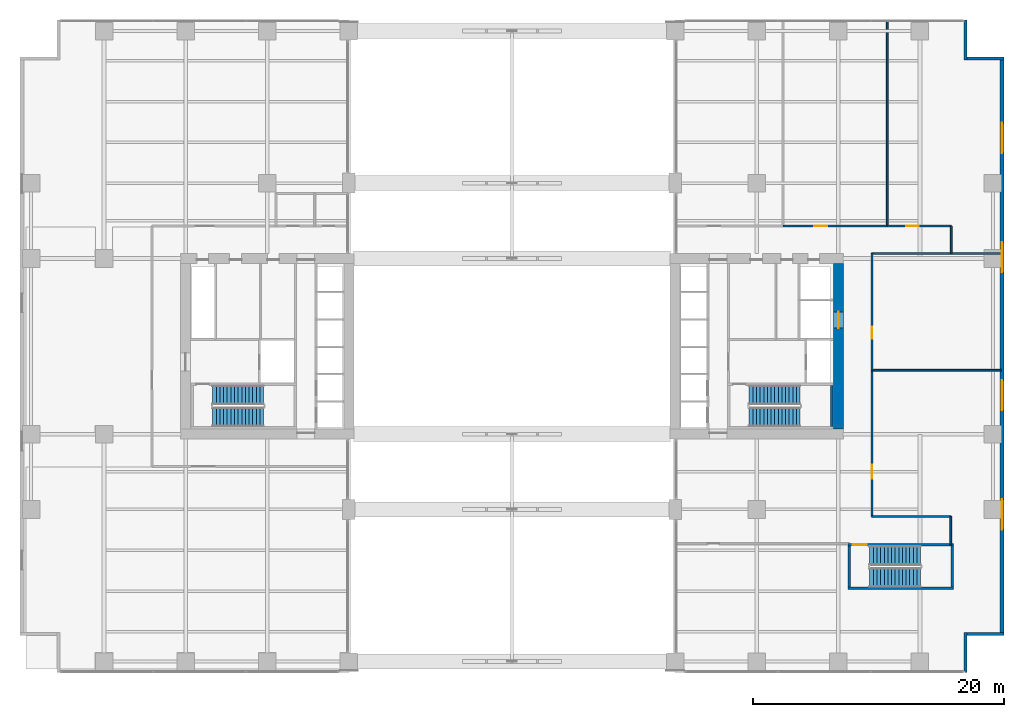
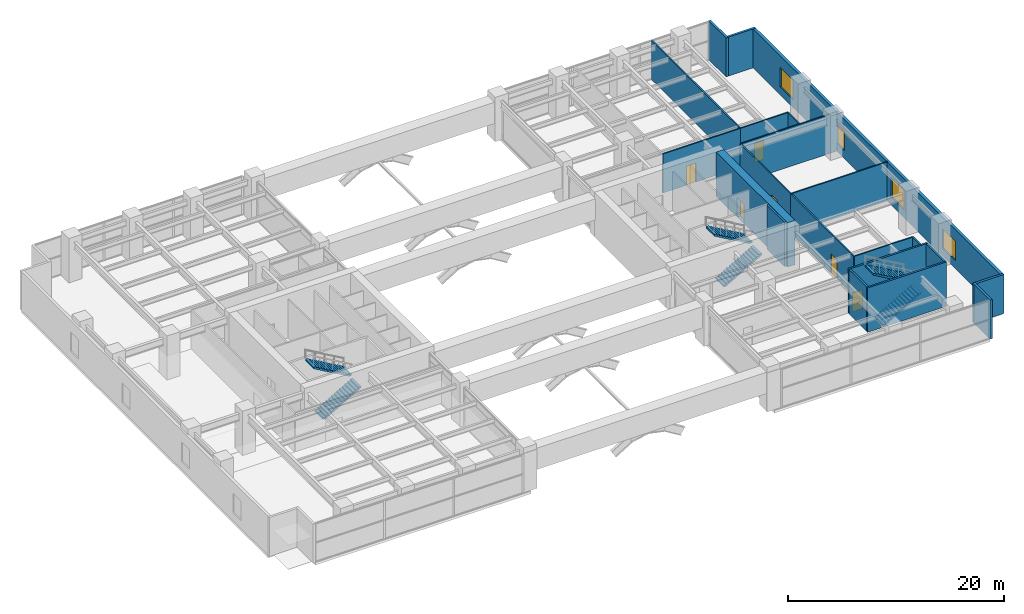
# One storey, part 18 of 23: 21 walls, 6 doors, 6 stair flights, 4 windows, 10 openings, 3 elements without a shape of their own.
"""IFC4 building model written with IfcOpenShell, lengths in metres."""

import ifcopenshell
import ifcopenshell.guid

model = None  # the IFC model being written
_history = None  # IfcOwnerHistory: only IFC2X3 demands one
_inside = {}  # id of a spatial element -> (the spatial element, [elements in it])
_under = {}  # id of a project, library or spatial element -> (it, [spatial elements below it])
_declared = {}  # id of a project -> (the project, [libraries it declares])
_typed = {}  # id of a type object -> (the type object, [elements of that type])
_made_of = {}  # id of a material, layer set ... -> (it, [elements and type objects made of it])


def new_model(schema):
    """Start an empty IFC model of exactly this schema.

    Asked for "IFC4X3", IfcOpenShell would pick the latest addendum, in which some entities
    have other attributes; the version numbers below select the first issue.
    IFC2X3 requires an IfcOwnerHistory on every rooted entity: one is made here for all.
    """
    global model, _history
    if schema == "IFC4X3":
        model = ifcopenshell.file(schema_version=(4, 3, 0, 0))
    else:
        model = ifcopenshell.file(schema=schema)
    _inside.clear()
    _under.clear()
    _declared.clear()
    _typed.clear()
    _made_of.clear()
    _history = None
    if model.schema == "IFC2X3":
        org = make("IfcOrganization", Name="unknown")
        user = make(
            "IfcPersonAndOrganization",
            ThePerson=make("IfcPerson", FamilyName="unknown"),
            TheOrganization=org,
        )
        app = make(
            "IfcApplication",
            ApplicationDeveloper=org,
            Version="unknown",
            ApplicationFullName="unknown",
            ApplicationIdentifier="unknown",
        )
        _history = make(
            "IfcOwnerHistory",
            OwningUser=user,
            OwningApplication=app,
            ChangeAction="ADDED",
            CreationDate=0,
        )
    return model


def make(cls, **values):
    """One entity of the class cls with the attributes given. An attribute that is None is left unset."""
    return model.create_entity(
        cls, **{name: value for name, value in values.items() if value is not None}
    )


def rooted(cls, **values):
    """An entity with a GlobalId (a new one), such as an element, a storey or a relation."""
    return make(cls, GlobalId=ifcopenshell.guid.new(), OwnerHistory=_history, **values)


def si_unit(unit_type, name, prefix=None):
    """IfcSIUnit, for example si_unit("LENGTHUNIT", "METRE", prefix="MILLI")."""
    return make("IfcSIUnit", UnitType=unit_type, Prefix=prefix, Name=name)


def assignment(units):
    """IfcUnitAssignment: the units of a project."""
    return None if units is None else make("IfcUnitAssignment", Units=units)


def point(xyz):
    """IfcCartesianPoint."""
    return None if xyz is None else make("IfcCartesianPoint", Coordinates=xyz)


def direction(xyz):
    """IfcDirection."""
    return None if xyz is None else make("IfcDirection", DirectionRatios=xyz)


def frame(location, z_axis=None, x_axis=None):
    """IfcAxis2Placement3D, a coordinate frame: its origin and axes. An axis left out is left unset."""
    return make(
        "IfcAxis2Placement3D",
        Location=point(location),
        Axis=direction(z_axis),
        RefDirection=direction(x_axis),
    )


def frame_2d(location, x_axis=None):
    """IfcAxis2Placement2D, a coordinate frame in the plane: its origin and x axis."""
    return make(
        "IfcAxis2Placement2D", Location=point(location), RefDirection=direction(x_axis)
    )


def origin():
    """The frame at (0, 0, 0) with its axes left unset."""
    return frame((0.0, 0.0, 0.0))


def place(relative_to, where):
    """IfcLocalPlacement: puts the frame where relative to a parent placement (None: the world)."""
    return make(
        "IfcLocalPlacement", PlacementRelTo=relative_to, RelativePlacement=where
    )


def context(
    kind, dimensions, precision=None, world=None, true_north=None, identifier=None
):
    """IfcGeometricRepresentationContext, for example the 3D "Model" context."""
    return make(
        "IfcGeometricRepresentationContext",
        ContextIdentifier=identifier,
        ContextType=kind,
        CoordinateSpaceDimension=dimensions,
        Precision=precision,
        WorldCoordinateSystem=world,
        TrueNorth=true_north,
    )


def subcontext(parent, identifier, kind, view, scale=None):
    """IfcGeometricRepresentationSubContext, for example "Body" below "Model"."""
    return make(
        "IfcGeometricRepresentationSubContext",
        ContextIdentifier=identifier,
        ContextType=kind,
        ParentContext=parent,
        TargetScale=scale,
        TargetView=view,
    )


def project(units=None, contexts=None):
    """IfcProject with its units and contexts."""
    return rooted(
        "IfcProject",
        Name="project",
        RepresentationContexts=contexts,
        UnitsInContext=assignment(units),
    )


def spatial(cls, under=None, at=None, **own):
    """A site, building, storey or space (cls), placed at a placement, below another one or the project."""
    s = rooted(cls, ObjectPlacement=at, **own)
    if under is not None:
        _under.setdefault(under.id(), (under, []))[1].append(s)
    return s


def polyline(points):
    """IfcPolyline through the points."""
    return make("IfcPolyline", Points=[point(p) for p in points])


def profile(cls, at=None, kind="AREA", **sizes):
    """A parametric profile (cls). Its sizes go by their IFC names, for example OverallWidth=200.0."""
    return make(cls, ProfileType=kind, Position=at, **sizes)


def rectangle(**sizes):
    """IfcRectangleProfileDef."""
    return profile("IfcRectangleProfileDef", **sizes)


def outline(outer, holes=None, kind="AREA"):
    """IfcArbitraryClosedProfileDef: a profile drawn as a closed curve; with holes, ...WithVoids."""
    if holes is None:
        return make("IfcArbitraryClosedProfileDef", ProfileType=kind, OuterCurve=outer)
    return make(
        "IfcArbitraryProfileDefWithVoids",
        ProfileType=kind,
        OuterCurve=outer,
        InnerCurves=holes,
    )


def extrude(swept, where, along, depth):
    """IfcExtrudedAreaSolid: the profile swept, set in the frame where, extruded along a direction by depth."""
    return make(
        "IfcExtrudedAreaSolid",
        SweptArea=swept,
        Position=where,
        ExtrudedDirection=direction(along),
        Depth=depth,
    )


def shape(context_of_items, identifier, shape_type, items):
    """IfcShapeRepresentation: the items that make up one representation, for example the "Body"."""
    return make(
        "IfcShapeRepresentation",
        ContextOfItems=context_of_items,
        RepresentationIdentifier=identifier,
        RepresentationType=shape_type,
        Items=items,
    )


def material(Name=None, Category=None):
    """IfcMaterial."""
    return make("IfcMaterial", Name=Name, Category=Category)


def layer(
    of_material, thickness, ventilated=None, Name=None, Category=None, Priority=None
):
    """IfcMaterialLayer: one layer of a wall or slab, of a material (None: an air gap)."""
    return make(
        "IfcMaterialLayer",
        Material=of_material,
        LayerThickness=thickness,
        IsVentilated=ventilated,
        Name=Name,
        Category=Category,
        Priority=Priority,
    )


def layer_set(layers, Name=None):
    """IfcMaterialLayerSet."""
    return make("IfcMaterialLayerSet", MaterialLayers=layers, LayerSetName=Name)


def made_of(thing, what):
    """Note that an element or type object is made of a material, layer set ...; save() writes the relation."""
    if what is not None:
        _made_of.setdefault(what.id(), (what, []))[1].append(thing)
    return thing


def type_object(cls, material=None, **own):
    """A type object (cls), such as IfcWallType, which elements share."""
    return made_of(rooted(cls, **own), material)


def element(
    cls,
    number,
    at=None,
    inside=None,
    cuts=None,
    type_object=None,
    material=None,
    context=None,
    identifier="Body",
    shape_type=None,
    held_by="IfcProductDefinitionShape",
    body=None,
    shapes=None,
    **own,
):
    """One element of the class cls, such as IfcWall. Its Tag is "e" and its number.

    at: its placement. inside: the storey or other place that contains it. cuts: it is an
    opening in that element (IfcRelVoidsElement). A single representation is given by context,
    identifier, shape_type and body (its items); several are given by shapes. held_by: the class
    of the entity that holds the representations. save() writes the other relations.
    """
    e = rooted(cls, Tag="e%d" % number, ObjectPlacement=at, **own)
    if body is not None:
        shapes = [shape(context, identifier, shape_type, body)]
    if shapes is not None:
        e.Representation = make(held_by, Representations=shapes)
    if inside is not None:
        _inside.setdefault(inside.id(), (inside, []))[1].append(e)
    if cuts is not None:
        rooted(
            "IfcRelVoidsElement", RelatingBuildingElement=cuts, RelatedOpeningElement=e
        )
    if type_object is not None:
        _typed.setdefault(type_object.id(), (type_object, []))[1].append(e)
    return made_of(e, material)


def fill(opening, filler):
    """IfcRelFillsElement: the door or window that sits in an opening."""
    return rooted(
        "IfcRelFillsElement",
        RelatingOpeningElement=opening,
        RelatedBuildingElement=filler,
    )


def aggregate(whole, parts):
    """IfcRelAggregates: a whole, such as a stair, and the parts it consists of."""
    return rooted("IfcRelAggregates", RelatingObject=whole, RelatedObjects=parts)


def save(model, path):
    """Write the relations noted so far, then the file.

    IfcRelAggregates (storeys below a building ...), IfcRelContainedInSpatialStructure (elements
    in a storey), IfcRelDefinesByType, IfcRelAssociatesMaterial and IfcRelDeclares: one each for
    every whole, place, type object, material and project.
    """
    for whole, parts in _under.values():
        aggregate(whole, parts)
    for where, things in _inside.values():
        rooted(
            "IfcRelContainedInSpatialStructure",
            RelatedElements=things,
            RelatingStructure=where,
        )
    for kind, things in _typed.values():
        rooted("IfcRelDefinesByType", RelatedObjects=things, RelatingType=kind)
    for what, things in _made_of.values():
        rooted("IfcRelAssociatesMaterial", RelatedObjects=things, RelatingMaterial=what)
    for by, libraries in _declared.values():
        rooted("IfcRelDeclares", RelatingContext=by, RelatedDefinitions=libraries)
    model.write(path)


model = new_model("IFC4")

# Units and contexts
model_context = context("Model", 3, precision=1e-05, world=origin(), true_north=direction((0.0, 1.0)))
body_context = subcontext(model_context, "Body", "Model", "MODEL_VIEW")
ifc_project = project(units=[si_unit("LENGTHUNIT", "METRE"), si_unit("AREAUNIT", "SQUARE_METRE"), si_unit("VOLUMEUNIT", "CUBIC_METRE"), si_unit("PLANEANGLEUNIT", "RADIAN"), si_unit("MASSUNIT", "GRAM", prefix="KILO")], contexts=[model_context])

# Site, building, storey
site_placement = place(None, origin())
site = spatial("IfcSite", under=ifc_project, at=site_placement, CompositionType="ELEMENT")
building_placement = place(site_placement, origin())
building = spatial("IfcBuilding", under=site, at=building_placement, Name="Putna Gate Headquarters", CompositionType="ELEMENT")
storey_placement = place(building_placement, frame((0.0, 0.0, 17.0)))
storey = spatial("IfcBuildingStorey", under=building, at=storey_placement, Name="L03", CompositionType="ELEMENT", Elevation=17.0)

# Wall, opening, door
ifc_material_1 = material(Name="Concrete C60/75", Category="concrete")
ifc_layer_1 = layer(ifc_material_1, 0.800048828125)
ifc_layer_set_1 = layer_set([ifc_layer_1], Name="Concrete C60/75")
wall_type_1 = type_object("IfcWallType", Name="WALL-CORE-800", PredefinedType="SHEAR", material=ifc_layer_set_1)
wall_1_placement = place(storey_placement, frame((65.0, 19.39990234375, 0.0), z_axis=(0.0, 0.0, 1.0), x_axis=(0.0, 1.0, 0.0)))
wall_1 = element("IfcWall", 1, at=wall_1_placement, inside=storey, type_object=wall_type_1, Name="L03 EC Split Core Shear Wall E", PredefinedType="SHEAR", context=body_context, shape_type="SweptSolid", body=[
    extrude(rectangle(XDim=13.2001953125, YDim=0.800048828125, at=frame_2d((6.60009765625, 0.0))), origin(), (0.0, 0.0, 1.0), 5.0),
])
opening_1_placement = place(wall_1_placement, frame((8.050048828125, 0.0, 0.0)))
opening_1 = element("IfcOpeningElement", 2, at=opening_1_placement, cuts=wall_1, Name="Opening LD-2", PredefinedType="OPENING", context=body_context, shape_type="SweptSolid", body=[
    extrude(rectangle(XDim=1.300048828125, YDim=2.199951171875, at=frame_2d((0.64990234375, 1.10009765625))), frame((0.0, 0.409912109375, 0.0), z_axis=(0.0, -1.0, 0.0), x_axis=(1.0, 0.0, 0.0)), (0.0, 0.0, 1.0), 0.820068359375),
])
ifc_material_2 = material(Name="Heavy-duty goods lift sliding landing door")
door_type_1 = type_object("IfcDoorType", Name="DOOR-LIFT-1300", OperationType="DOUBLE_DOOR_SLIDING", PredefinedType="DOOR", material=ifc_material_2)
door_1_placement = place(opening_1_placement, origin())
door_1 = element("IfcDoor", 3, at=door_1_placement, inside=storey, type_object=door_type_1, Name="L03 Goods Lift Landing Door LD-15", OperationType="DOUBLE_DOOR_SLIDING", OverallHeight=2.199951171875, OverallWidth=1.300048828125, PredefinedType="DOOR", context=body_context, shape_type="SweptSolid", body=[
    extrude(rectangle(XDim=1.300048828125, YDim=2.199951171875, at=frame_2d((0.64990234375, 1.10009765625))), frame((0.0, 0.02490234375, 0.0), z_axis=(0.0, -1.0, 0.0), x_axis=(1.0, 0.0, 0.0)), (0.0, 0.0, 1.0), 0.050048828125),
])
fill(opening_1, door_1)

# Wall, openings, windows
ifc_material_3 = material(Name="Precast concrete C40/50", Category="concrete")
ifc_layer_2 = layer(ifc_material_3, 0.300048828125)
ifc_layer_set_2 = layer_set([ifc_layer_2], Name="Precast concrete C40/50")
wall_type_2 = type_object("IfcWallType", Name="WALL-EXT-POD-300", PredefinedType="STANDARD", material=ifc_layer_set_2)
wall_2_placement = place(storey_placement, frame((78.050048828125, 48.800048828125, 0.0), z_axis=(0.0, 0.0, 1.0), x_axis=(0.0, -1.0, 0.0)))
wall_2 = element("IfcWall", 4, at=wall_2_placement, inside=storey, type_object=wall_type_2, Name="L03 E Podium Precast Facade Wall", PredefinedType="STANDARD", context=body_context, shape_type="SweptSolid", body=[
    extrude(rectangle(XDim=45.60009765625, YDim=0.300048828125, at=frame_2d((22.800048828125, 0.0))), origin(), (0.0, 0.0, 1.0), 4.39990234375),
])
opening_2_placement = place(wall_2_placement, frame((5.0, 0.0, 0.89990234375)))
opening_2 = element("IfcOpeningElement", 5, at=opening_2_placement, cuts=wall_2, Name="Opening WN-3", PredefinedType="OPENING", context=body_context, shape_type="SweptSolid", body=[
    extrude(rectangle(XDim=2.39990234375, YDim=2.199951171875, at=frame_2d((1.199951171875, 1.10009765625))), frame((0.0, 0.159912109375, 0.0), z_axis=(0.0, -1.0, 0.0), x_axis=(1.0, 0.0, 0.0)), (0.0, 0.0, 1.0), 0.320068359375),
])
opening_3_placement = place(wall_2_placement, frame((14.5, 0.0, 0.89990234375)))
opening_3 = element("IfcOpeningElement", 6, at=opening_3_placement, cuts=wall_2, Name="Opening WN-3", PredefinedType="OPENING", context=body_context, shape_type="SweptSolid", body=[
    extrude(rectangle(XDim=2.39990234375, YDim=2.199951171875, at=frame_2d((1.199951171875, 1.10009765625))), frame((0.0, 0.159912109375, 0.0), z_axis=(0.0, -1.0, 0.0), x_axis=(1.0, 0.0, 0.0)), (0.0, 0.0, 1.0), 0.320068359375),
])
opening_4_placement = place(wall_2_placement, frame((25.5, 0.0, 0.89990234375)))
opening_4 = element("IfcOpeningElement", 7, at=opening_4_placement, cuts=wall_2, Name="Opening WN-3", PredefinedType="OPENING", context=body_context, shape_type="SweptSolid", body=[
    extrude(rectangle(XDim=2.39990234375, YDim=2.199951171875, at=frame_2d((1.199951171875, 1.10009765625))), frame((0.0, 0.159912109375, 0.0), z_axis=(0.0, -1.0, 0.0), x_axis=(1.0, 0.0, 0.0)), (0.0, 0.0, 1.0), 0.320068359375),
])
opening_5_placement = place(wall_2_placement, frame((35.0, 0.0, 0.89990234375)))
opening_5 = element("IfcOpeningElement", 8, at=opening_5_placement, cuts=wall_2, Name="Opening WN-3", PredefinedType="OPENING", context=body_context, shape_type="SweptSolid", body=[
    extrude(rectangle(XDim=2.39990234375, YDim=2.199951171875, at=frame_2d((1.199951171875, 1.10009765625))), frame((0.0, 0.159912109375, 0.0), z_axis=(0.0, -1.0, 0.0), x_axis=(1.0, 0.0, 0.0)), (0.0, 0.0, 1.0), 0.320068359375),
])
ifc_material_4 = material(Name="Triple low-E insulated glazing in bronze aluminium frame", Category="aluminium")
window_type = type_object("IfcWindowType", Name="WIN-EXT-2400x2200", PartitioningType="SINGLE_PANEL", PredefinedType="WINDOW", material=ifc_material_4)
window_1_placement = place(opening_2_placement, origin())
window_1 = element("IfcWindow", 9, at=window_1_placement, inside=storey, type_object=window_type, Name="L03 E Vision Window 1", OverallHeight=2.199951171875, OverallWidth=2.39990234375, PartitioningType="SINGLE_PANEL", PredefinedType="WINDOW", context=body_context, shape_type="SweptSolid", body=[
    extrude(rectangle(XDim=2.39990234375, YDim=2.199951171875, at=frame_2d((1.199951171875, 1.10009765625))), frame((0.0, 0.030029296875, 0.0), z_axis=(0.0, -1.0, 0.0), x_axis=(1.0, 0.0, 0.0)), (0.0, 0.0, 1.0), 0.06005859375),
])
fill(opening_2, window_1)
window_2_placement = place(opening_3_placement, origin())
window_2 = element("IfcWindow", 10, at=window_2_placement, inside=storey, type_object=window_type, Name="L03 E Vision Window 2", OverallHeight=2.199951171875, OverallWidth=2.39990234375, PartitioningType="SINGLE_PANEL", PredefinedType="WINDOW", context=body_context, shape_type="SweptSolid", body=[
    extrude(rectangle(XDim=2.39990234375, YDim=2.199951171875, at=frame_2d((1.199951171875, 1.10009765625))), frame((0.0, 0.030029296875, 0.0), z_axis=(0.0, -1.0, 0.0), x_axis=(1.0, 0.0, 0.0)), (0.0, 0.0, 1.0), 0.06005859375),
])
fill(opening_3, window_2)
window_3_placement = place(opening_4_placement, origin())
window_3 = element("IfcWindow", 11, at=window_3_placement, inside=storey, type_object=window_type, Name="L03 E Vision Window 3", OverallHeight=2.199951171875, OverallWidth=2.39990234375, PartitioningType="SINGLE_PANEL", PredefinedType="WINDOW", context=body_context, shape_type="SweptSolid", body=[
    extrude(rectangle(XDim=2.39990234375, YDim=2.199951171875, at=frame_2d((1.199951171875, 1.10009765625))), frame((0.0, 0.030029296875, 0.0), z_axis=(0.0, -1.0, 0.0), x_axis=(1.0, 0.0, 0.0)), (0.0, 0.0, 1.0), 0.06005859375),
])
fill(opening_4, window_3)
window_4_placement = place(opening_5_placement, origin())
window_4 = element("IfcWindow", 12, at=window_4_placement, inside=storey, type_object=window_type, Name="L03 E Vision Window 4", OverallHeight=2.199951171875, OverallWidth=2.39990234375, PartitioningType="SINGLE_PANEL", PredefinedType="WINDOW", context=body_context, shape_type="SweptSolid", body=[
    extrude(rectangle(XDim=2.39990234375, YDim=2.199951171875, at=frame_2d((1.199951171875, 1.10009765625))), frame((0.0, 0.030029296875, 0.0), z_axis=(0.0, -1.0, 0.0), x_axis=(1.0, 0.0, 0.0)), (0.0, 0.0, 1.0), 0.06005859375),
])
fill(opening_5, window_4)

# Walls
ifc_layer_3 = layer(ifc_material_3, 0.239990234375)
ifc_layer_set_3 = layer_set([ifc_layer_3], Name="Precast concrete C40/50")
wall_type_3 = type_object("IfcWallType", Name="WALL-EXT-TERR-240", PredefinedType="STANDARD", material=ifc_layer_set_3)
for number, where, z_axis, x_axis, name in (
    (13, (75.1201171875, 52.0, 0.0), (0.0, 0.0, 1.0), (0.0, -1.0, 0.0), "L03 Corner Notch Return Wall NE-V"),
    (14, (75.0, 48.919921875, 0.0), (0.0, 0.0, 1.0), (1.0, 0.0, 0.0), "L03 Corner Notch Return Wall NE-H"),
    (15, (75.1201171875, 3.199951171875, 0.0), (0.0, 0.0, 1.0), (0.0, -1.0, 0.0), "L03 Corner Notch Return Wall SE-V"),
    (16, (78.199951171875, 3.080078125, 0.0), (0.0, 0.0, 1.0), (-1.0, 0.0, 0.0), "L03 Corner Notch Return Wall SE-H"),
):
    element("IfcWall", number, at=place(storey_placement, frame(where, z_axis=z_axis, x_axis=x_axis)), inside=storey, type_object=wall_type_3, Name=name, PredefinedType="STANDARD", context=body_context, shape_type="SweptSolid", body=[
        extrude(rectangle(XDim=3.199951171875, YDim=0.239990234375, at=frame_2d((1.60009765625, 0.0))), origin(), (0.0, 0.0, 1.0), 4.39990234375),
    ])
ifc_material_5 = material(Name="Fire-rated gypsum board on metal stud")
ifc_layer_4 = layer(ifc_material_5, 0.139892578125)
ifc_layer_set_4 = layer_set([ifc_layer_4], Name="Fire-rated gypsum board on metal stud")
wall_type_4 = type_object("IfcWallType", Name="WALL-PART-140", PredefinedType="PARTITIONING", material=ifc_layer_set_4)
wall_3_placement = place(storey_placement, frame((68.89990234375, 35.580078125, 0.0), z_axis=(0.0, 0.0, 1.0), x_axis=(0.0, 1.0, 0.0)))
element("IfcWall", 17, at=wall_3_placement, inside=storey, type_object=wall_type_4, Name="L03 Interior Wall PART-L03-NE2", PredefinedType="PARTITIONING", context=body_context, shape_type="SweptSolid", body=[
    extrude(rectangle(XDim=16.35986328125, YDim=0.139892578125, at=frame_2d((8.179931640625, 0.0))), origin(), (0.0, 0.0, 1.0), 4.39990234375),
])
wall_4_placement = place(storey_placement, frame((67.679931640625, 24.10009765625, 0.0), z_axis=(0.0, 0.0, 1.0), x_axis=(1.0, 0.0, 0.0)))
element("IfcWall", 18, at=wall_4_placement, inside=storey, type_object=wall_type_4, Name="L03 Interior Wall PART-L03-EDIV", PredefinedType="PARTITIONING", context=body_context, shape_type="SweptSolid", body=[
    extrude(rectangle(XDim=10.320068359375, YDim=0.139892578125, at=frame_2d((5.16015625, 0.0))), origin(), (0.0, 0.0, 1.0), 4.39990234375),
])
wall_5_placement = place(storey_placement, frame((74.0, 33.39990234375, 0.0), z_axis=(0.0, 0.0, 1.0), x_axis=(0.0, 1.0, 0.0)))
element("IfcWall", 19, at=wall_5_placement, inside=storey, type_object=wall_type_4, Name="L03 Interior Wall PART-L03-EN-CAPE", PredefinedType="PARTITIONING", context=body_context, shape_type="SweptSolid", body=[
    extrude(rectangle(XDim=2.18017578125, YDim=0.139892578125, at=frame_2d((1.090087890625, 0.0))), origin(), (0.0, 0.0, 1.0), 4.39990234375),
])
wall_6_placement = place(storey_placement, frame((67.679931640625, 33.39990234375, 0.0), z_axis=(0.0, 0.0, 1.0), x_axis=(1.0, 0.0, 0.0)))
element("IfcWall", 20, at=wall_6_placement, inside=storey, type_object=wall_type_4, Name="L03 Interior Wall PART-L03-EN-EXT", PredefinedType="PARTITIONING", context=body_context, shape_type="SweptSolid", body=[
    extrude(rectangle(XDim=10.320068359375, YDim=0.139892578125, at=frame_2d((5.16015625, 0.0))), origin(), (0.0, 0.0, 1.0), 4.39990234375),
])
wall_7_placement = place(storey_placement, frame((73.949951171875, 10.18994140625, 0.0), z_axis=(0.0, 0.0, 1.0), x_axis=(0.0, 1.0, 0.0)))
element("IfcWall", 21, at=wall_7_placement, inside=storey, type_object=wall_type_4, Name="L03 Interior Wall PART-L03-ESCAP", PredefinedType="PARTITIONING", context=body_context, shape_type="SweptSolid", body=[
    extrude(rectangle(XDim=2.260009765625, YDim=0.139892578125, at=frame_2d((1.1298828125, 0.0))), origin(), (0.0, 0.0, 1.0), 4.39990234375),
])
wall_8_placement = place(storey_placement, frame((67.679931640625, 12.449951171875, 0.0), z_axis=(0.0, 0.0, 1.0), x_axis=(1.0, 0.0, 0.0)))
element("IfcWall", 22, at=wall_8_placement, inside=storey, type_object=wall_type_4, Name="L03 Interior Wall PART-L03-ESN", PredefinedType="PARTITIONING", context=body_context, shape_type="SweptSolid", body=[
    extrude(rectangle(XDim=6.27001953125, YDim=0.139892578125, at=frame_2d((3.135009765625, 0.0))), origin(), (0.0, 0.0, 1.0), 4.39990234375),
])

# Wall, opening, door
wall_9_placement = place(storey_placement, frame((60.60009765625, 35.580078125, 0.0), z_axis=(0.0, 0.0, 1.0), x_axis=(1.0, 0.0, 0.0)))
wall_9 = element("IfcWall", 23, at=wall_9_placement, inside=storey, type_object=wall_type_4, Name="L03 Interior Wall PART-L03-EW2", PredefinedType="PARTITIONING", context=body_context, shape_type="SweptSolid", body=[
    extrude(rectangle(XDim=8.2998046875, YDim=0.139892578125, at=frame_2d((4.14990234375, 0.0))), origin(), (0.0, 0.0, 1.0), 4.39990234375),
])
opening_6_placement = place(wall_9_placement, frame((2.5, 0.0, 0.0)))
opening_6 = element("IfcOpeningElement", 24, at=opening_6_placement, cuts=wall_9, Name="Opening IDS-100", PredefinedType="OPENING", context=body_context, shape_type="SweptSolid", body=[
    extrude(rectangle(XDim=1.0, YDim=2.14990234375, at=frame_2d((0.5, 1.074951171875))), frame((0.0, 0.079833984375, 0.0), z_axis=(0.0, -1.0, 0.0), x_axis=(1.0, 0.0, 0.0)), (0.0, 0.0, 1.0), 0.159912109375),
])
ifc_material_6 = material(Name="Fire-rated office door")
door_type_2 = type_object("IfcDoorType", Name="DOOR-INT-1000", OperationType="NOTDEFINED", PredefinedType="DOOR", material=ifc_material_6)
door_2_placement = place(opening_6_placement, origin())
door_2 = element("IfcDoor", 25, at=door_2_placement, inside=storey, type_object=door_type_2, Name="L03 Staff Library Door", OperationType="SINGLE_SWING_LEFT", OverallHeight=2.14990234375, OverallWidth=1.0, PredefinedType="DOOR", context=body_context, shape_type="SweptSolid", body=[
    extrude(rectangle(XDim=1.0, YDim=2.14990234375, at=frame_2d((0.5, 1.074951171875))), frame((0.0, 0.02490234375, 0.0), z_axis=(0.0, -1.0, 0.0), x_axis=(1.0, 0.0, 0.0)), (0.0, 0.0, 1.0), 0.050048828125),
])
fill(opening_6, door_2)

wall_10_placement = place(storey_placement, frame((68.89990234375, 35.580078125, 0.0), z_axis=(0.0, 0.0, 1.0), x_axis=(1.0, 0.0, 0.0)))
wall_10 = element("IfcWall", 26, at=wall_10_placement, inside=storey, type_object=wall_type_4, Name="L03 Interior Wall PART-L03-EW3", PredefinedType="PARTITIONING", context=body_context, shape_type="SweptSolid", body=[
    extrude(rectangle(XDim=5.10009765625, YDim=0.139892578125, at=frame_2d((2.550048828125, 0.0))), origin(), (0.0, 0.0, 1.0), 4.39990234375),
])
opening_7_placement = place(wall_10_placement, frame((1.5, 0.0, 0.0)))
opening_7 = element("IfcOpeningElement", 27, at=opening_7_placement, cuts=wall_10, Name="Opening IDS-100", PredefinedType="OPENING", context=body_context, shape_type="SweptSolid", body=[
    extrude(rectangle(XDim=1.0, YDim=2.14990234375, at=frame_2d((0.5, 1.074951171875))), frame((0.0, 0.079833984375, 0.0), z_axis=(0.0, -1.0, 0.0), x_axis=(1.0, 0.0, 0.0)), (0.0, 0.0, 1.0), 0.159912109375),
])
door_3_placement = place(opening_7_placement, origin())
door_3 = element("IfcDoor", 28, at=door_3_placement, inside=storey, type_object=door_type_2, Name="L03 Wellness Room B Door", OperationType="SINGLE_SWING_LEFT", OverallHeight=2.14990234375, OverallWidth=1.0, PredefinedType="DOOR", context=body_context, shape_type="SweptSolid", body=[
    extrude(rectangle(XDim=1.0, YDim=2.14990234375, at=frame_2d((0.5, 1.074951171875))), frame((0.0, 0.02490234375, 0.0), z_axis=(0.0, -1.0, 0.0), x_axis=(1.0, 0.0, 0.0)), (0.0, 0.0, 1.0), 0.050048828125),
])
fill(opening_7, door_3)

wall_11_placement = place(storey_placement, frame((67.679931640625, 12.449951171875, 0.0), z_axis=(0.0, 0.0, 1.0), x_axis=(0.0, 1.0, 0.0)))
wall_11 = element("IfcWall", 29, at=wall_11_placement, inside=storey, type_object=wall_type_4, Name="L03 Interior Wall PART-L03-EF1", PredefinedType="PARTITIONING", context=body_context, shape_type="SweptSolid", body=[
    extrude(rectangle(XDim=11.650146484375, YDim=0.139892578125, at=frame_2d((5.8251953125, 0.0))), origin(), (0.0, 0.0, 1.0), 4.39990234375),
])
opening_8_placement = place(wall_11_placement, frame((3.0, 0.0, 0.0)))
opening_8 = element("IfcOpeningElement", 30, at=opening_8_placement, cuts=wall_11, Name="Opening IDS-110", PredefinedType="OPENING", context=body_context, shape_type="SweptSolid", body=[
    extrude(rectangle(XDim=1.10009765625, YDim=2.14990234375, at=frame_2d((0.550048828125, 1.074951171875))), frame((0.0, 0.079833984375, 0.0), z_axis=(0.0, -1.0, 0.0), x_axis=(1.0, 0.0, 0.0)), (0.0, 0.0, 1.0), 0.159912109375),
])
ifc_material_7 = material(Name="Fire-rated meeting room door")
door_type_3 = type_object("IfcDoorType", Name="DOOR-INT-1100", OperationType="NOTDEFINED", PredefinedType="DOOR", material=ifc_material_7)
door_4_placement = place(opening_8_placement, origin())
door_4 = element("IfcDoor", 31, at=door_4_placement, inside=storey, type_object=door_type_3, Name="L03 Fitness Studio Door", OperationType="SINGLE_SWING_LEFT", OverallHeight=2.14990234375, OverallWidth=1.10009765625, PredefinedType="DOOR", context=body_context, shape_type="SweptSolid", body=[
    extrude(rectangle(XDim=1.10009765625, YDim=2.14990234375, at=frame_2d((0.550048828125, 1.074951171875))), frame((0.0, 0.02490234375, 0.0), z_axis=(0.0, -1.0, 0.0), x_axis=(1.0, 0.0, 0.0)), (0.0, 0.0, 1.0), 0.050048828125),
])
fill(opening_8, door_4)

wall_12_placement = place(storey_placement, frame((67.679931640625, 24.10009765625, 0.0), z_axis=(0.0, 0.0, 1.0), x_axis=(0.0, 1.0, 0.0)))
wall_12 = element("IfcWall", 32, at=wall_12_placement, inside=storey, type_object=wall_type_4, Name="L03 Interior Wall PART-L03-EF2", PredefinedType="PARTITIONING", context=body_context, shape_type="SweptSolid", body=[
    extrude(rectangle(XDim=9.2998046875, YDim=0.139892578125, at=frame_2d((4.64990234375, 0.0))), origin(), (0.0, 0.0, 1.0), 4.39990234375),
])
opening_9_placement = place(wall_12_placement, frame((2.5, 0.0, 0.0)))
opening_9 = element("IfcOpeningElement", 33, at=opening_9_placement, cuts=wall_12, Name="Opening IDS-95", PredefinedType="OPENING", context=body_context, shape_type="SweptSolid", body=[
    extrude(rectangle(XDim=0.949951171875, YDim=2.14990234375, at=frame_2d((0.47509765625, 1.074951171875))), frame((0.0, 0.079833984375, 0.0), z_axis=(0.0, -1.0, 0.0), x_axis=(1.0, 0.0, 0.0)), (0.0, 0.0, 1.0), 0.159912109375),
])
ifc_material_8 = material(Name="Fire-rated service timber door", Category="wood")
door_type_4 = type_object("IfcDoorType", Name="DOOR-INT-950", OperationType="NOTDEFINED", PredefinedType="DOOR", material=ifc_material_8)
door_5_placement = place(opening_9_placement, origin())
door_5 = element("IfcDoor", 34, at=door_5_placement, inside=storey, type_object=door_type_4, Name="L03 Recovery Lounge Door", OperationType="SINGLE_SWING_LEFT", OverallHeight=2.14990234375, OverallWidth=0.949951171875, PredefinedType="DOOR", context=body_context, shape_type="SweptSolid", body=[
    extrude(rectangle(XDim=0.949951171875, YDim=2.14990234375, at=frame_2d((0.47509765625, 1.074951171875))), frame((0.0, 0.02490234375, 0.0), z_axis=(0.0, -1.0, 0.0), x_axis=(1.0, 0.0, 0.0)), (0.0, 0.0, 1.0), 0.050048828125),
])
fill(opening_9, door_5)

# Walls
ifc_material_9 = material(Name="Concrete C40/50", Category="concrete")
ifc_layer_5 = layer(ifc_material_9, 0.199951171875)
ifc_layer_set_5 = layer_set([ifc_layer_5], Name="Concrete C40/50")
wall_type_5 = type_object("IfcWallType", Name="WALL-SHAFT-RC200", PredefinedType="SHEAR", material=ifc_layer_set_5)
wall_13_placement = place(storey_placement, frame((64.489990234375, 19.610107421875, 0.0), z_axis=(0.0, 0.0, 1.0), x_axis=(0.0, 1.0, 0.0)))
element("IfcWall", 35, at=wall_13_placement, inside=storey, type_object=wall_type_5, Name="L03 Stair ST2 Structural Shaft Wall E", PredefinedType="SHEAR", context=body_context, shape_type="SweptSolid", body=[
    extrude(rectangle(XDim=3.27978515625, YDim=0.199951171875, at=frame_2d((1.639892578125, 0.0))), origin(), (0.0, 0.0, 1.0), 5.0),
])
wall_14_placement = place(storey_placement, frame((65.760009765625, 6.7099609375, 0.0), z_axis=(0.0, 0.0, 1.0), x_axis=(1.0, 0.0, 0.0)))
element("IfcWall", 36, at=wall_14_placement, inside=storey, type_object=wall_type_5, Name="L03 Stair ST3 Structural Shaft Wall S", PredefinedType="SHEAR", context=body_context, shape_type="SweptSolid", body=[
    extrude(rectangle(XDim=8.429931640625, YDim=0.199951171875, at=frame_2d((4.21484375, 0.0))), origin(), (0.0, 0.0, 1.0), 5.0),
])

# Wall, opening, door
wall_15_placement = place(storey_placement, frame((65.760009765625, 10.18994140625, 0.0), z_axis=(0.0, 0.0, 1.0), x_axis=(1.0, 0.0, 0.0)))
wall_15 = element("IfcWall", 37, at=wall_15_placement, inside=storey, type_object=wall_type_5, Name="L03 Stair ST3 Structural Shaft Wall N", PredefinedType="SHEAR", context=body_context, shape_type="SweptSolid", body=[
    extrude(rectangle(XDim=8.429931640625, YDim=0.199951171875, at=frame_2d((4.21484375, 0.0))), origin(), (0.0, 0.0, 1.0), 5.0),
])
opening_10_placement = place(wall_15_placement, frame((0.39990234375, 0.0, 0.0)))
opening_10 = element("IfcOpeningElement", 38, at=opening_10_placement, cuts=wall_15, Name="Opening FD-110", PredefinedType="OPENING", context=body_context, shape_type="SweptSolid", body=[
    extrude(rectangle(XDim=1.10009765625, YDim=2.14990234375, at=frame_2d((0.550048828125, 1.074951171875))), frame((0.0, 0.10986328125, 0.0), z_axis=(0.0, -1.0, 0.0), x_axis=(1.0, 0.0, 0.0)), (0.0, 0.0, 1.0), 0.219970703125),
])
ifc_material_10 = material(Name="Powder-coated steel fire door", Category="steel")
door_type_5 = type_object("IfcDoorType", Name="DOOR-FIRE-1100", OperationType="NOTDEFINED", PredefinedType="DOOR", material=ifc_material_10)
door_6_placement = place(opening_10_placement, origin())
door_6 = element("IfcDoor", 39, at=door_6_placement, inside=storey, type_object=door_type_5, Name="L03 Escape Stair ST3 Door", OperationType="SINGLE_SWING_RIGHT", OverallHeight=2.14990234375, OverallWidth=1.10009765625, PredefinedType="DOOR", context=body_context, shape_type="SweptSolid", body=[
    extrude(rectangle(XDim=1.10009765625, YDim=2.14990234375, at=frame_2d((0.550048828125, 1.074951171875))), frame((0.0, 0.02490234375, 0.0), z_axis=(0.0, -1.0, 0.0), x_axis=(1.0, 0.0, 0.0)), (0.0, 0.0, 1.0), 0.050048828125),
])
fill(opening_10, door_6)

# Walls
for number, where, z_axis, x_axis, name in (
    (40, (65.860107421875, 6.81005859375, 0.0), (0.0, 0.0, 1.0), (0.0, 1.0, 0.0), "L03 Stair ST3 Structural Shaft Wall W"),
    (41, (74.090087890625, 6.81005859375, 0.0), (0.0, 0.0, 1.0), (0.0, 1.0, 0.0), "L03 Stair ST3 Structural Shaft Wall E"),
):
    element("IfcWall", number, at=place(storey_placement, frame(where, z_axis=z_axis, x_axis=x_axis)), inside=storey, type_object=wall_type_5, Name=name, PredefinedType="SHEAR", context=body_context, shape_type="SweptSolid", body=[
        extrude(rectangle(XDim=3.280029296875, YDim=0.199951171875, at=frame_2d((1.64013671875, 0.0))), origin(), (0.0, 0.0, 1.0), 5.0),
    ])

# Stair, stair flights
stair_type_1 = type_object("IfcStairType", Name="STAIR-ST1", PredefinedType="HALF_TURN_STAIR", material=ifc_material_9)
stair_1_placement = place(storey_placement, origin())
stair_1 = element("IfcStair", 42, at=stair_1_placement, inside=storey, type_object=stair_type_1, Name="L03 West Core Exit Stair ST1", PredefinedType="HALF_TURN_STAIR")
stair_flight_type_1 = type_object("IfcStairFlightType", Name="FLIGHT-ST1", PredefinedType="STRAIGHT", material=ifc_material_9)
stair_flight_1_placement = place(storey_placement, frame((15.14990234375, 20.375, 0.0), z_axis=(0.0, 0.0, 1.0), x_axis=(1.0, 0.0, 0.0)))
stair_flight_1 = element("IfcStairFlight", 43, at=stair_flight_1_placement, type_object=stair_flight_type_1, Name="ST1 flight 1", NumberOfRisers=15, NumberOfTreads=14, PredefinedType="STRAIGHT", RiserHeight=0.166666667, TreadLength=0.29, context=body_context, shape_type="SweptSolid", body=[
    extrude(outline(polyline([(0.0, 0.0), (0.0, 0.166748046875), (0.2900390625, 0.166748046875), (0.2900390625, 0.333251953125), (0.580078125, 0.333251953125), (0.580078125, 0.5), (0.8701171875, 0.5), (0.8701171875, 0.666748046875), (1.159912109375, 0.666748046875), (1.159912109375, 0.833251953125), (1.449951171875, 0.833251953125), (1.449951171875, 1.0), (1.739990234375, 1.0), (1.739990234375, 1.166748046875), (2.030029296875, 1.166748046875), (2.030029296875, 1.333251953125), (2.320068359375, 1.333251953125), (2.320068359375, 1.5), (2.610107421875, 1.5), (2.610107421875, 1.666748046875), (2.89990234375, 1.666748046875), (2.89990234375, 1.833251953125), (3.18994140625, 1.833251953125), (3.18994140625, 2.0), (3.47998046875, 2.0), (3.47998046875, 2.166748046875), (3.77001953125, 2.166748046875), (3.77001953125, 2.333251953125), (4.06005859375, 2.333251953125), (4.06005859375, 2.5), (4.06005859375, 2.160400390625), (0.30078125, 0.0), (0.0, 0.0)])), frame((0.0, 0.77490234375, 0.0), z_axis=(0.0, -1.0, 0.0), x_axis=(1.0, 0.0, 0.0)), (0.0, 0.0, 1.0), 1.550048828125),
])
stair_flight_2_placement = place(storey_placement, frame((19.2099609375, 22.125, 2.5), z_axis=(0.0, 0.0, 1.0), x_axis=(-1.0, 0.0, 0.0)))
stair_flight_2 = element("IfcStairFlight", 44, at=stair_flight_2_placement, type_object=stair_flight_type_1, Name="ST1 flight 2", NumberOfRisers=15, NumberOfTreads=14, PredefinedType="STRAIGHT", RiserHeight=0.166666667, TreadLength=0.29, context=body_context, shape_type="SweptSolid", body=[
    extrude(outline(polyline([(0.0, 0.0), (0.0, 0.166748046875), (0.2900390625, 0.166748046875), (0.2900390625, 0.333251953125), (0.580078125, 0.333251953125), (0.580078125, 0.5), (0.8701171875, 0.5), (0.8701171875, 0.666748046875), (1.159912109375, 0.666748046875), (1.159912109375, 0.833251953125), (1.449951171875, 0.833251953125), (1.449951171875, 1.0), (1.739990234375, 1.0), (1.739990234375, 1.166748046875), (2.030029296875, 1.166748046875), (2.030029296875, 1.333251953125), (2.320068359375, 1.333251953125), (2.320068359375, 1.5), (2.610107421875, 1.5), (2.610107421875, 1.666748046875), (2.89990234375, 1.666748046875), (2.89990234375, 1.833251953125), (3.18994140625, 1.833251953125), (3.18994140625, 2.0), (3.47998046875, 2.0), (3.47998046875, 2.166748046875), (3.77001953125, 2.166748046875), (3.77001953125, 2.333251953125), (4.06005859375, 2.333251953125), (4.06005859375, 2.5), (4.06005859375, 2.160400390625), (0.30078125, 0.0), (0.0, 0.0)])), frame((0.0, 0.77490234375, 0.0), z_axis=(0.0, -1.0, 0.0), x_axis=(1.0, 0.0, 0.0)), (0.0, 0.0, 1.0), 1.550048828125),
])
aggregate(stair_1, [stair_flight_1, stair_flight_2])

stair_type_2 = type_object("IfcStairType", Name="STAIR-ST2", PredefinedType="HALF_TURN_STAIR", material=ifc_material_9)
stair_2_placement = place(storey_placement, origin())
stair_2 = element("IfcStair", 45, at=stair_2_placement, inside=storey, type_object=stair_type_2, Name="L03 East Core Exit Stair ST2", PredefinedType="HALF_TURN_STAIR")
stair_flight_type_2 = type_object("IfcStairFlightType", Name="FLIGHT-ST2", PredefinedType="STRAIGHT", material=ifc_material_9)
stair_flight_3_placement = place(storey_placement, frame((57.89990234375, 20.375, 0.0), z_axis=(0.0, 0.0, 1.0), x_axis=(1.0, 0.0, 0.0)))
stair_flight_3 = element("IfcStairFlight", 46, at=stair_flight_3_placement, type_object=stair_flight_type_2, Name="ST2 flight 1", NumberOfRisers=15, NumberOfTreads=14, PredefinedType="STRAIGHT", RiserHeight=0.166666667, TreadLength=0.29, context=body_context, shape_type="SweptSolid", body=[
    extrude(outline(polyline([(0.0, 0.0), (0.0, 0.166748046875), (0.2900390625, 0.166748046875), (0.2900390625, 0.333251953125), (0.580078125, 0.333251953125), (0.580078125, 0.5), (0.8701171875, 0.5), (0.8701171875, 0.666748046875), (1.159912109375, 0.666748046875), (1.159912109375, 0.833251953125), (1.449951171875, 0.833251953125), (1.449951171875, 1.0), (1.739990234375, 1.0), (1.739990234375, 1.166748046875), (2.030029296875, 1.166748046875), (2.030029296875, 1.333251953125), (2.320068359375, 1.333251953125), (2.320068359375, 1.5), (2.610107421875, 1.5), (2.610107421875, 1.666748046875), (2.89990234375, 1.666748046875), (2.89990234375, 1.833251953125), (3.18994140625, 1.833251953125), (3.18994140625, 2.0), (3.47998046875, 2.0), (3.47998046875, 2.166748046875), (3.77001953125, 2.166748046875), (3.77001953125, 2.333251953125), (4.06005859375, 2.333251953125), (4.06005859375, 2.5), (4.06005859375, 2.160400390625), (0.30078125, 0.0), (0.0, 0.0)])), frame((0.0, 0.77490234375, 0.0), z_axis=(0.0, -1.0, 0.0), x_axis=(1.0, 0.0, 0.0)), (0.0, 0.0, 1.0), 1.550048828125),
])
stair_flight_4_placement = place(storey_placement, frame((61.9599609375, 22.125, 2.5), z_axis=(0.0, 0.0, 1.0), x_axis=(-1.0, 0.0, 0.0)))
stair_flight_4 = element("IfcStairFlight", 47, at=stair_flight_4_placement, type_object=stair_flight_type_2, Name="ST2 flight 2", NumberOfRisers=15, NumberOfTreads=14, PredefinedType="STRAIGHT", RiserHeight=0.166666667, TreadLength=0.29, context=body_context, shape_type="SweptSolid", body=[
    extrude(outline(polyline([(0.0, 0.0), (0.0, 0.166748046875), (0.2900390625, 0.166748046875), (0.2900390625, 0.333251953125), (0.580078125, 0.333251953125), (0.580078125, 0.5), (0.8701171875, 0.5), (0.8701171875, 0.666748046875), (1.159912109375, 0.666748046875), (1.159912109375, 0.833251953125), (1.449951171875, 0.833251953125), (1.449951171875, 1.0), (1.739990234375, 1.0), (1.739990234375, 1.166748046875), (2.030029296875, 1.166748046875), (2.030029296875, 1.333251953125), (2.320068359375, 1.333251953125), (2.320068359375, 1.5), (2.610107421875, 1.5), (2.610107421875, 1.666748046875), (2.89990234375, 1.666748046875), (2.89990234375, 1.833251953125), (3.18994140625, 1.833251953125), (3.18994140625, 2.0), (3.47998046875, 2.0), (3.47998046875, 2.166748046875), (3.77001953125, 2.166748046875), (3.77001953125, 2.333251953125), (4.06005859375, 2.333251953125), (4.06005859375, 2.5), (4.06005859375, 2.160400390625), (0.30078125, 0.0), (0.0, 0.0)])), frame((0.0, 0.77490234375, 0.0), z_axis=(0.0, -1.0, 0.0), x_axis=(1.0, 0.0, 0.0)), (0.0, 0.0, 1.0), 1.550048828125),
])
aggregate(stair_2, [stair_flight_3, stair_flight_4])

stair_type_3 = type_object("IfcStairType", Name="STAIR-ST3", PredefinedType="HALF_TURN_STAIR", material=ifc_material_9)
stair_3_placement = place(storey_placement, origin())
stair_3 = element("IfcStair", 48, at=stair_3_placement, inside=storey, type_object=stair_type_3, Name="L03 Podium Escape Stair ST3", PredefinedType="HALF_TURN_STAIR")
stair_flight_type_3 = type_object("IfcStairFlightType", Name="FLIGHT-ST3", PredefinedType="STRAIGHT", material=ifc_material_9)
stair_flight_5_placement = place(storey_placement, frame((67.5, 7.574951171875, 0.0), z_axis=(0.0, 0.0, 1.0), x_axis=(1.0, 0.0, 0.0)))
stair_flight_5 = element("IfcStairFlight", 49, at=stair_flight_5_placement, type_object=stair_flight_type_3, Name="ST3 flight 1", NumberOfRisers=15, NumberOfTreads=14, PredefinedType="STRAIGHT", RiserHeight=0.166666667, TreadLength=0.29, context=body_context, shape_type="SweptSolid", body=[
    extrude(outline(polyline([(0.0, 0.0), (0.0, 0.166748046875), (0.2900390625, 0.166748046875), (0.2900390625, 0.333251953125), (0.580078125, 0.333251953125), (0.580078125, 0.5), (0.8701171875, 0.5), (0.8701171875, 0.666748046875), (1.159912109375, 0.666748046875), (1.159912109375, 0.833251953125), (1.449951171875, 0.833251953125), (1.449951171875, 1.0), (1.739990234375, 1.0), (1.739990234375, 1.166748046875), (2.030029296875, 1.166748046875), (2.030029296875, 1.333251953125), (2.320068359375, 1.333251953125), (2.320068359375, 1.5), (2.610107421875, 1.5), (2.610107421875, 1.666748046875), (2.89990234375, 1.666748046875), (2.89990234375, 1.833251953125), (3.18994140625, 1.833251953125), (3.18994140625, 2.0), (3.47998046875, 2.0), (3.47998046875, 2.166748046875), (3.77001953125, 2.166748046875), (3.77001953125, 2.333251953125), (4.06005859375, 2.333251953125), (4.06005859375, 2.5), (4.06005859375, 2.160400390625), (0.30078125, 0.0), (0.0, 0.0)])), frame((0.0, 0.77490234375, 0.0), z_axis=(0.0, -1.0, 0.0), x_axis=(1.0, 0.0, 0.0)), (0.0, 0.0, 1.0), 1.550048828125),
])
stair_flight_6_placement = place(storey_placement, frame((71.56005859375, 9.324951171875, 2.5), z_axis=(0.0, 0.0, 1.0), x_axis=(-1.0, 0.0, 0.0)))
stair_flight_6 = element("IfcStairFlight", 50, at=stair_flight_6_placement, type_object=stair_flight_type_3, Name="ST3 flight 2", NumberOfRisers=15, NumberOfTreads=14, PredefinedType="STRAIGHT", RiserHeight=0.166666667, TreadLength=0.29, context=body_context, shape_type="SweptSolid", body=[
    extrude(outline(polyline([(0.0, 0.0), (0.0, 0.166748046875), (0.2900390625, 0.166748046875), (0.2900390625, 0.333251953125), (0.580078125, 0.333251953125), (0.580078125, 0.5), (0.8701171875, 0.5), (0.8701171875, 0.666748046875), (1.159912109375, 0.666748046875), (1.159912109375, 0.833251953125), (1.449951171875, 0.833251953125), (1.449951171875, 1.0), (1.739990234375, 1.0), (1.739990234375, 1.166748046875), (2.030029296875, 1.166748046875), (2.030029296875, 1.333251953125), (2.320068359375, 1.333251953125), (2.320068359375, 1.5), (2.610107421875, 1.5), (2.610107421875, 1.666748046875), (2.89990234375, 1.666748046875), (2.89990234375, 1.833251953125), (3.18994140625, 1.833251953125), (3.18994140625, 2.0), (3.47998046875, 2.0), (3.47998046875, 2.166748046875), (3.77001953125, 2.166748046875), (3.77001953125, 2.333251953125), (4.06005859375, 2.333251953125), (4.06005859375, 2.5), (4.06005859375, 2.160400390625), (0.30078125, 0.0), (0.0, 0.0)])), frame((0.0, 0.77490234375, 0.0), z_axis=(0.0, -1.0, 0.0), x_axis=(1.0, 0.0, 0.0)), (0.0, 0.0, 1.0), 1.550048828125),
])
aggregate(stair_3, [stair_flight_5, stair_flight_6])

save(model, "model.ifc")
